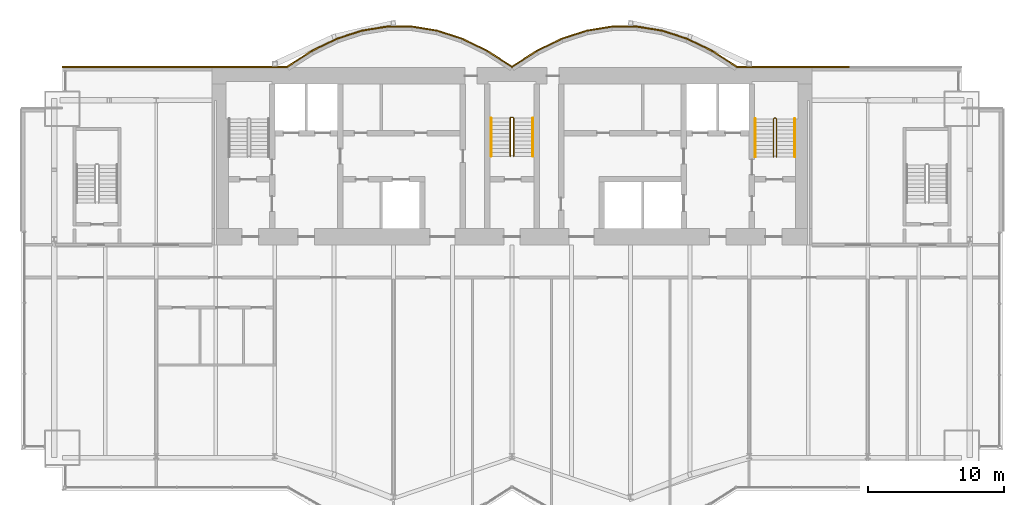
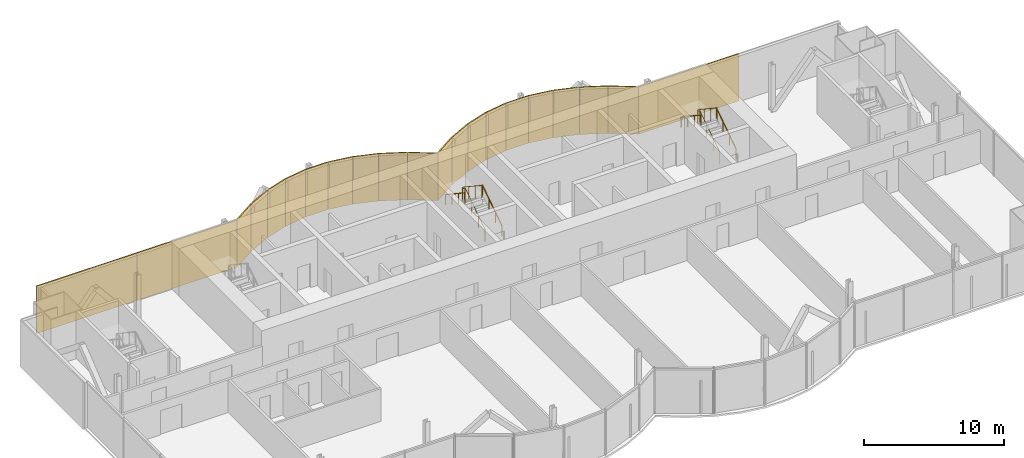
# One storey, part 19 of 20: 21 coverings, 6 railings.
"""IFC4 building model written with IfcOpenShell, lengths in metres."""

from ifc_helpers import new_model, si_unit, direction, frame, origin, origin_2d, place, context, subcontext, project, spatial, rectangle, circle, extrude, material, layer, layer_set, type_object, element, save


model = new_model("IFC4")

# Units and contexts
model_context = context("Model", 3, precision=1e-05, world=origin(), true_north=direction((0.0, 1.0)))
body_context = subcontext(model_context, "Body", "Model", "MODEL_VIEW")
ifc_project = project(units=[si_unit("LENGTHUNIT", "METRE"), si_unit("AREAUNIT", "SQUARE_METRE"), si_unit("VOLUMEUNIT", "CUBIC_METRE"), si_unit("PLANEANGLEUNIT", "RADIAN"), si_unit("MASSUNIT", "GRAM", prefix="KILO")], contexts=[model_context])

# Site, building, storey
site_placement = place(None, origin())
site = spatial("IfcSite", under=ifc_project, at=site_placement, CompositionType="ELEMENT")
building_placement = place(site_placement, origin())
building = spatial("IfcBuilding", under=site, at=building_placement, Name="Bicima Exchange Tower", CompositionType="ELEMENT")
storey_placement = place(building_placement, frame((0.0, 0.0, 227.800048828125)))
storey = spatial("IfcBuildingStorey", under=building, at=storey_placement, Name="L51", CompositionType="ELEMENT", Elevation=227.800048828125)

# Coverings
ifc_material_1 = material(Name="Bronze metal cladding")
ifc_layer_1 = layer(ifc_material_1, 0.004)
ifc_material_2 = material(Name="Ventilated cavity")
ifc_layer_2 = layer(ifc_material_2, 0.06)
ifc_material_3 = material(Name="Galvanised steel rail and mineral wool", Category="steel")
ifc_layer_3 = layer(ifc_material_3, 0.036)
ifc_layer_set = layer_set([ifc_layer_1, ifc_layer_2, ifc_layer_3], Name="Ventilated cavity")
covering_type = type_object("IfcCoveringType", Name="Bronze metal cladding panel 100", PredefinedType="CLADDING", material=ifc_layer_set)
covering_1_placement = place(storey_placement, frame((20.625, 0.050048828125, -0.150146484375), z_axis=(0.0, 0.0, 1.0), x_axis=(-1.0, 0.0, 0.0)))
element("IfcCovering", 1, at=covering_1_placement, inside=storey, type_object=covering_type, Name="Bronze cladding L51 1.2", PredefinedType="CLADDING", context=body_context, shape_type="SweptSolid", body=[
    extrude(rectangle(XDim=8.25, YDim=0.10009765625, at=origin_2d()), origin(), (0.0, 0.0, 1.0), 4.10009765625),
])
covering_2_placement = place(storey_placement, frame((15.610595703125, 0.634521484375, -0.150146484375), z_axis=(0.0, 0.0, 1.0), x_axis=(-0.839790466384, 0.542910648791, 0.0)))
element("IfcCovering", 2, at=covering_2_placement, inside=storey, type_object=covering_type, Name="Bronze cladding L51 2.1", PredefinedType="CLADDING", context=body_context, shape_type="SweptSolid", body=[
    extrude(rectangle(XDim=2.18310546875, YDim=0.10009765625, at=origin_2d()), origin(), (0.0, 0.0, 1.0), 4.10009765625),
])
covering_3_placement = place(storey_placement, frame((13.771728515625, 1.674560546875, -0.150146484375), z_axis=(0.0, 0.0, 1.0), x_axis=(-0.899818346812, 0.436264762204, 0.0)))
element("IfcCovering", 3, at=covering_3_placement, inside=storey, type_object=covering_type, Name="Bronze cladding L51 3.1", PredefinedType="CLADDING", context=body_context, shape_type="SweptSolid", body=[
    extrude(rectangle(XDim=2.03759765625, YDim=0.10009765625, at=origin_2d()), origin(), (0.0, 0.0, 1.0), 4.10009765625),
])
covering_4_placement = place(storey_placement, frame((11.931884765625, 2.41796875, -0.150146484375), z_axis=(0.0, 0.0, 1.0), x_axis=(-0.951524642381, 0.307572519808, 0.0)))
element("IfcCovering", 4, at=covering_4_placement, inside=storey, type_object=covering_type, Name="Bronze cladding L51 4.1", PredefinedType="CLADDING", context=body_context, shape_type="SweptSolid", body=[
    extrude(rectangle(XDim=1.9267578125, YDim=0.10009765625, at=origin_2d()), origin(), (0.0, 0.0, 1.0), 4.10009765625),
])
covering_5_placement = place(storey_placement, frame((10.09130859375, 2.8642578125, -0.150146484375), z_axis=(0.0, 0.0, 1.0), x_axis=(-0.987189786347, 0.159550386184, 0.0)))
element("IfcCovering", 5, at=covering_5_placement, inside=storey, type_object=covering_type, Name="Bronze cladding L51 5.1", PredefinedType="CLADDING", context=body_context, shape_type="SweptSolid", body=[
    extrude(rectangle(XDim=1.857177734375, YDim=0.10009765625, at=origin_2d()), origin(), (0.0, 0.0, 1.0), 4.10009765625),
])
covering_6_placement = place(storey_placement, frame((8.25, 3.012939453125, -0.150146484375), z_axis=(0.0, 0.0, 1.0), x_axis=(-1.0, 0.0, 0.0)))
element("IfcCovering", 6, at=covering_6_placement, inside=storey, type_object=covering_type, Name="Bronze cladding L51 6.1", PredefinedType="CLADDING", context=body_context, shape_type="SweptSolid", body=[
    extrude(rectangle(XDim=1.83349609375, YDim=0.10009765625, at=origin_2d()), origin(), (0.0, 0.0, 1.0), 4.10009765625),
])
covering_7_placement = place(storey_placement, frame((6.40869140625, 2.8642578125, -0.150146484375), z_axis=(0.0, 0.0, 1.0), x_axis=(-0.987189786347, -0.159550386184, 0.0)))
element("IfcCovering", 7, at=covering_7_placement, inside=storey, type_object=covering_type, Name="Bronze cladding L51 7.1", PredefinedType="CLADDING", context=body_context, shape_type="SweptSolid", body=[
    extrude(rectangle(XDim=1.857177734375, YDim=0.10009765625, at=origin_2d()), origin(), (0.0, 0.0, 1.0), 4.10009765625),
])
covering_8_placement = place(storey_placement, frame((4.568115234375, 2.41796875, -0.150146484375), z_axis=(0.0, 0.0, 1.0), x_axis=(-0.951524642381, -0.307572519808, 0.0)))
element("IfcCovering", 8, at=covering_8_placement, inside=storey, type_object=covering_type, Name="Bronze cladding L51 8.1", PredefinedType="CLADDING", context=body_context, shape_type="SweptSolid", body=[
    extrude(rectangle(XDim=1.9267578125, YDim=0.10009765625, at=origin_2d()), origin(), (0.0, 0.0, 1.0), 4.10009765625),
])
covering_9_placement = place(storey_placement, frame((2.728271484375, 1.674560546875, -0.150146484375), z_axis=(0.0, 0.0, 1.0), x_axis=(-0.899818346812, -0.436264762204, 0.0)))
element("IfcCovering", 9, at=covering_9_placement, inside=storey, type_object=covering_type, Name="Bronze cladding L51 9.1", PredefinedType="CLADDING", context=body_context, shape_type="SweptSolid", body=[
    extrude(rectangle(XDim=2.03759765625, YDim=0.10009765625, at=origin_2d()), origin(), (0.0, 0.0, 1.0), 4.10009765625),
])
for number, where, z_axis, x_axis, name in (
    (10, (0.889404296875, 0.634521484375, -0.150146484375), (0.0, 0.0, 1.0), (-0.839790466384, -0.542910648791, 0.0), "Bronze cladding L51 10.1"),
    (11, (-0.889404296875, 0.634521484375, -0.150146484375), (0.0, 0.0, 1.0), (-0.839790466384, 0.542910648791, 0.0), "Bronze cladding L51 11.1"),
):
    element("IfcCovering", number, at=place(storey_placement, frame(where, z_axis=z_axis, x_axis=x_axis)), inside=storey, type_object=covering_type, Name=name, PredefinedType="CLADDING", context=body_context, shape_type="SweptSolid", body=[
        extrude(rectangle(XDim=2.18310546875, YDim=0.10009765625, at=origin_2d()), origin(), (0.0, 0.0, 1.0), 4.10009765625),
    ])
covering_10_placement = place(storey_placement, frame((-2.728271484375, 1.674560546875, -0.150146484375), z_axis=(0.0, 0.0, 1.0), x_axis=(-0.899818346812, 0.436264762204, 0.0)))
element("IfcCovering", 12, at=covering_10_placement, inside=storey, type_object=covering_type, Name="Bronze cladding L51 12.1", PredefinedType="CLADDING", context=body_context, shape_type="SweptSolid", body=[
    extrude(rectangle(XDim=2.03759765625, YDim=0.10009765625, at=origin_2d()), origin(), (0.0, 0.0, 1.0), 4.10009765625),
])
covering_11_placement = place(storey_placement, frame((-4.568115234375, 2.41796875, -0.150146484375), z_axis=(0.0, 0.0, 1.0), x_axis=(-0.951524642381, 0.307572519808, 0.0)))
element("IfcCovering", 13, at=covering_11_placement, inside=storey, type_object=covering_type, Name="Bronze cladding L51 13.1", PredefinedType="CLADDING", context=body_context, shape_type="SweptSolid", body=[
    extrude(rectangle(XDim=1.9267578125, YDim=0.10009765625, at=origin_2d()), origin(), (0.0, 0.0, 1.0), 4.10009765625),
])
covering_12_placement = place(storey_placement, frame((-6.40869140625, 2.8642578125, -0.150146484375), z_axis=(0.0, 0.0, 1.0), x_axis=(-0.987189786347, 0.159550386184, 0.0)))
element("IfcCovering", 14, at=covering_12_placement, inside=storey, type_object=covering_type, Name="Bronze cladding L51 14.1", PredefinedType="CLADDING", context=body_context, shape_type="SweptSolid", body=[
    extrude(rectangle(XDim=1.857177734375, YDim=0.10009765625, at=origin_2d()), origin(), (0.0, 0.0, 1.0), 4.10009765625),
])
covering_13_placement = place(storey_placement, frame((-8.25, 3.012939453125, -0.150146484375), z_axis=(0.0, 0.0, 1.0), x_axis=(-1.0, 0.0, 0.0)))
element("IfcCovering", 15, at=covering_13_placement, inside=storey, type_object=covering_type, Name="Bronze cladding L51 15.1", PredefinedType="CLADDING", context=body_context, shape_type="SweptSolid", body=[
    extrude(rectangle(XDim=1.83349609375, YDim=0.10009765625, at=origin_2d()), origin(), (0.0, 0.0, 1.0), 4.10009765625),
])
covering_14_placement = place(storey_placement, frame((-10.09130859375, 2.8642578125, -0.150146484375), z_axis=(0.0, 0.0, 1.0), x_axis=(-0.987189786347, -0.159550386184, 0.0)))
element("IfcCovering", 16, at=covering_14_placement, inside=storey, type_object=covering_type, Name="Bronze cladding L51 16.1", PredefinedType="CLADDING", context=body_context, shape_type="SweptSolid", body=[
    extrude(rectangle(XDim=1.857177734375, YDim=0.10009765625, at=origin_2d()), origin(), (0.0, 0.0, 1.0), 4.10009765625),
])
covering_15_placement = place(storey_placement, frame((-11.931884765625, 2.41796875, -0.150146484375), z_axis=(0.0, 0.0, 1.0), x_axis=(-0.951524642381, -0.307572519808, 0.0)))
element("IfcCovering", 17, at=covering_15_placement, inside=storey, type_object=covering_type, Name="Bronze cladding L51 17.1", PredefinedType="CLADDING", context=body_context, shape_type="SweptSolid", body=[
    extrude(rectangle(XDim=1.9267578125, YDim=0.10009765625, at=origin_2d()), origin(), (0.0, 0.0, 1.0), 4.10009765625),
])
covering_16_placement = place(storey_placement, frame((-13.771728515625, 1.674560546875, -0.150146484375), z_axis=(0.0, 0.0, 1.0), x_axis=(-0.899818346812, -0.436264762204, 0.0)))
element("IfcCovering", 18, at=covering_16_placement, inside=storey, type_object=covering_type, Name="Bronze cladding L51 18.1", PredefinedType="CLADDING", context=body_context, shape_type="SweptSolid", body=[
    extrude(rectangle(XDim=2.03759765625, YDim=0.10009765625, at=origin_2d()), origin(), (0.0, 0.0, 1.0), 4.10009765625),
])
covering_17_placement = place(storey_placement, frame((-15.610595703125, 0.634521484375, -0.150146484375), z_axis=(0.0, 0.0, 1.0), x_axis=(-0.839790466384, -0.542910648791, 0.0)))
element("IfcCovering", 19, at=covering_17_placement, inside=storey, type_object=covering_type, Name="Bronze cladding L51 19.1", PredefinedType="CLADDING", context=body_context, shape_type="SweptSolid", body=[
    extrude(rectangle(XDim=2.18310546875, YDim=0.10009765625, at=origin_2d()), origin(), (0.0, 0.0, 1.0), 4.10009765625),
])
for number, where, z_axis, x_axis, name in (
    (20, (-20.625, 0.050048828125, -0.150146484375), (0.0, 0.0, 1.0), (-1.0, 0.0, 0.0), "Bronze cladding L51 20.1"),
    (21, (-28.875, 0.050048828125, -0.150146484375), (0.0, 0.0, 1.0), (-1.0, 0.0, 0.0), "Bronze cladding L51 20.2"),
):
    element("IfcCovering", number, at=place(storey_placement, frame(where, z_axis=z_axis, x_axis=x_axis)), inside=storey, type_object=covering_type, Name=name, PredefinedType="CLADDING", context=body_context, shape_type="SweptSolid", body=[
        extrude(rectangle(XDim=8.25, YDim=0.10009765625, at=origin_2d()), origin(), (0.0, 0.0, 1.0), 4.10009765625),
    ])

# Railings
ifc_material_4 = material(Name="Stainless steel", Category="steel")
railing_type_1 = type_object("IfcRailingType", Name="Stair guard 1100", PredefinedType="GUARDRAIL", material=ifc_material_4)
railing_1_placement = place(storey_placement, frame((0.125, -6.5, 0.186279296875)))
element("IfcRailing", 22, at=railing_1_placement, inside=storey, type_object=railing_type_1, Name="L51 ST-C stair guard 1", PredefinedType="GUARDRAIL", context=body_context, shape_type="SweptSolid", body=[
    extrude(circle(Radius=0.02392578125, at=origin_2d()), frame((0.0, 0.0, 1.076171875), z_axis=(0.0, 0.832452072856, 0.554097055034), x_axis=(-1.0, 0.0, 0.0)), (0.0, 0.0, 1.0), 3.363525390625),
    extrude(circle(Radius=0.02392578125, at=origin_2d()), frame((0.0, 2.800048828125, 2.93994140625), z_axis=(-0.707106781187, 0.707106781187, 0.0), x_axis=(-0.707106781187, -0.707106781187, 0.0)), (0.0, 0.0, 1.0), 0.07080078125),
    extrude(circle(Radius=0.02392578125, at=origin_2d()), frame((-0.050048828125, 2.85009765625, 2.93994140625), z_axis=(-1.0, 0.0, 0.0), x_axis=(0.0, -1.0, 0.0)), (0.0, 0.0, 1.0), 0.14990234375),
    extrude(circle(Radius=0.02392578125, at=origin_2d()), frame((-0.199951171875, 2.85009765625, 2.93994140625), z_axis=(-0.251157038772, -0.251157038772, 0.934794246747), x_axis=(0.707106781187, -0.707106781187, 0.0)), (0.0, 0.0, 1.0), 0.19921875),
    extrude(circle(Radius=0.02392578125, at=origin_2d()), frame((-0.25, 2.800048828125, 3.1259765625), z_axis=(0.0, -0.832485552168, 0.554046753832), x_axis=(1.0, 0.0, 0.0)), (0.0, 0.0, 1.0), 3.363525390625),
    extrude(circle(Radius=0.02099609375, at=origin_2d()), origin(), (0.0, 0.0, 1.0), 1.052001953125),
    extrude(circle(Radius=0.02099609375, at=origin_2d()), frame((0.0, 0.933349609375, 0.621337890625)), (0.0, 0.0, 1.0), 1.052001953125),
    extrude(circle(Radius=0.02099609375, at=origin_2d()), frame((0.0, 1.86669921875, 1.242431640625)), (0.0, 0.0, 1.0), 1.052001953125),
    extrude(circle(Radius=0.02099609375, at=origin_2d()), frame((0.0, 2.800048828125, 1.86376953125)), (0.0, 0.0, 1.0), 1.052001953125),
    extrude(circle(Radius=0.02099609375, at=origin_2d()), frame((-0.050048828125, 2.85009765625, 1.86376953125)), (0.0, 0.0, 1.0), 1.052001953125),
    extrude(circle(Radius=0.02099609375, at=origin_2d()), frame((-0.199951171875, 2.85009765625, 1.86376953125)), (0.0, 0.0, 1.0), 1.052001953125),
    extrude(circle(Radius=0.02099609375, at=origin_2d()), frame((-0.25, 2.800048828125, 2.050048828125)), (0.0, 0.0, 1.0), 1.052001953125),
    extrude(circle(Radius=0.02099609375, at=origin_2d()), frame((-0.25, 1.86669921875, 2.671142578125)), (0.0, 0.0, 1.0), 1.052001953125),
    extrude(circle(Radius=0.02099609375, at=origin_2d()), frame((-0.25, 0.933349609375, 3.29248046875)), (0.0, 0.0, 1.0), 1.052001953125),
    extrude(circle(Radius=0.02099609375, at=origin_2d()), frame((-0.25, 0.0, 3.91357421875)), (0.0, 0.0, 1.0), 1.052001953125),
])
railing_2_placement = place(storey_placement, frame((19.39990234375, -6.550048828125, 0.186279296875)))
element("IfcRailing", 23, at=railing_2_placement, inside=storey, type_object=railing_type_1, Name="L51 ST-E stair guard 1", PredefinedType="GUARDRAIL", context=body_context, shape_type="SweptSolid", body=[
    extrude(circle(Radius=0.02392578125, at=origin_2d()), frame((0.0, 0.0, 1.076171875), z_axis=(0.0, 0.832452072856, 0.554097055034), x_axis=(-1.0, 0.0, 0.0)), (0.0, 0.0, 1.0), 3.363525390625),
    extrude(circle(Radius=0.02392578125, at=origin_2d()), frame((0.0, 2.800048828125, 2.93994140625), z_axis=(-0.705375805398, 0.708833529934, 0.0), x_axis=(-0.708833529934, -0.705375805398, 0.0)), (0.0, 0.0, 1.0), 0.070556640625),
    extrude(circle(Radius=0.02392578125, at=origin_2d()), frame((-0.0498046875, 2.85009765625, 2.93994140625), z_axis=(-1.0, 0.0, 0.0), x_axis=(0.0, -1.0, 0.0)), (0.0, 0.0, 1.0), 0.10009765625),
    extrude(circle(Radius=0.02392578125, at=origin_2d()), frame((-0.14990234375, 2.85009765625, 2.93994140625), z_axis=(-0.251157038772, -0.251157038772, 0.934794246747), x_axis=(0.707106781187, -0.707106781187, 0.0)), (0.0, 0.0, 1.0), 0.19921875),
    extrude(circle(Radius=0.02392578125, at=origin_2d()), frame((-0.199951171875, 2.800048828125, 3.1259765625), z_axis=(0.0, -0.832485552168, 0.554046753832), x_axis=(1.0, 0.0, 0.0)), (0.0, 0.0, 1.0), 3.363525390625),
    extrude(circle(Radius=0.02099609375, at=origin_2d()), origin(), (0.0, 0.0, 1.0), 1.052001953125),
    extrude(circle(Radius=0.02099609375, at=origin_2d()), frame((0.0, 0.933349609375, 0.621337890625)), (0.0, 0.0, 1.0), 1.052001953125),
    extrude(circle(Radius=0.02099609375, at=origin_2d()), frame((0.0, 1.86669921875, 1.242431640625)), (0.0, 0.0, 1.0), 1.052001953125),
    extrude(circle(Radius=0.02099609375, at=origin_2d()), frame((0.0, 2.800048828125, 1.86376953125)), (0.0, 0.0, 1.0), 1.052001953125),
    extrude(circle(Radius=0.02099609375, at=origin_2d()), frame((-0.0498046875, 2.85009765625, 1.86376953125)), (0.0, 0.0, 1.0), 1.052001953125),
    extrude(circle(Radius=0.02099609375, at=origin_2d()), frame((-0.14990234375, 2.85009765625, 1.86376953125)), (0.0, 0.0, 1.0), 1.052001953125),
    extrude(circle(Radius=0.02099609375, at=origin_2d()), frame((-0.199951171875, 2.800048828125, 2.050048828125)), (0.0, 0.0, 1.0), 1.052001953125),
    extrude(circle(Radius=0.02099609375, at=origin_2d()), frame((-0.199951171875, 1.86669921875, 2.671142578125)), (0.0, 0.0, 1.0), 1.052001953125),
    extrude(circle(Radius=0.02099609375, at=origin_2d()), frame((-0.199951171875, 0.933349609375, 3.29248046875)), (0.0, 0.0, 1.0), 1.052001953125),
    extrude(circle(Radius=0.02099609375, at=origin_2d()), frame((-0.199951171875, 0.0, 3.91357421875)), (0.0, 0.0, 1.0), 1.052001953125),
])
railing_type_2 = type_object("IfcRailingType", Name="Stair handrail 900", PredefinedType="HANDRAIL", material=ifc_material_4)
railing_3_placement = place(storey_placement, frame((1.52490234375, -6.5, 0.186279296875)))
element("IfcRailing", 24, at=railing_3_placement, inside=storey, type_object=railing_type_2, Name="L51 ST-C stair handrail 1", PredefinedType="HANDRAIL", context=body_context, shape_type="SweptSolid", body=[
    extrude(circle(Radius=0.02392578125, at=origin_2d()), frame((0.0, 0.0, 0.8759765625), z_axis=(0.0, 0.832452072856, 0.554097055034), x_axis=(-1.0, 0.0, 0.0)), (0.0, 0.0, 1.0), 3.363525390625),
    extrude(circle(Radius=0.02099609375, at=origin_2d()), origin(), (0.0, 0.0, 1.0), 0.851806640625),
    extrude(circle(Radius=0.02099609375, at=origin_2d()), frame((0.0, 0.933349609375, 0.621337890625)), (0.0, 0.0, 1.0), 0.851806640625),
    extrude(circle(Radius=0.02099609375, at=origin_2d()), frame((0.0, 1.86669921875, 1.242431640625)), (0.0, 0.0, 1.0), 0.851806640625),
    extrude(circle(Radius=0.02099609375, at=origin_2d()), frame((0.0, 2.800048828125, 1.86376953125)), (0.0, 0.0, 1.0), 0.851806640625),
])
railing_4_placement = place(storey_placement, frame((-1.52490234375, -3.699951171875, 2.276611328125)))
element("IfcRailing", 25, at=railing_4_placement, inside=storey, type_object=railing_type_2, Name="L51 ST-C stair handrail 2", PredefinedType="HANDRAIL", context=body_context, shape_type="SweptSolid", body=[
    extrude(circle(Radius=0.02392578125, at=origin_2d()), frame((0.0, 0.0, 0.8759765625), z_axis=(0.0, -0.832452072856, 0.554097055034), x_axis=(1.0, 0.0, 0.0)), (0.0, 0.0, 1.0), 3.363525390625),
    extrude(circle(Radius=0.02099609375, at=origin_2d()), origin(), (0.0, 0.0, 1.0), 0.851806640625),
    extrude(circle(Radius=0.02099609375, at=origin_2d()), frame((0.0, -0.933349609375, 0.621337890625)), (0.0, 0.0, 1.0), 0.851806640625),
    extrude(circle(Radius=0.02099609375, at=origin_2d()), frame((0.0, -1.86669921875, 1.242431640625)), (0.0, 0.0, 1.0), 0.851806640625),
    extrude(circle(Radius=0.02099609375, at=origin_2d()), frame((0.0, -2.800048828125, 1.86376953125)), (0.0, 0.0, 1.0), 0.851806640625),
])
railing_5_placement = place(storey_placement, frame((20.75, -6.550048828125, 0.186279296875)))
element("IfcRailing", 26, at=railing_5_placement, inside=storey, type_object=railing_type_2, Name="L51 ST-E stair handrail 1", PredefinedType="HANDRAIL", context=body_context, shape_type="SweptSolid", body=[
    extrude(circle(Radius=0.02392578125, at=origin_2d()), frame((0.0, 0.0, 0.8759765625), z_axis=(0.0, 0.832452072856, 0.554097055034), x_axis=(-1.0, 0.0, 0.0)), (0.0, 0.0, 1.0), 3.363525390625),
    extrude(circle(Radius=0.02099609375, at=origin_2d()), origin(), (0.0, 0.0, 1.0), 0.851806640625),
    extrude(circle(Radius=0.02099609375, at=origin_2d()), frame((0.0, 0.933349609375, 0.621337890625)), (0.0, 0.0, 1.0), 0.851806640625),
    extrude(circle(Radius=0.02099609375, at=origin_2d()), frame((0.0, 1.86669921875, 1.242431640625)), (0.0, 0.0, 1.0), 0.851806640625),
    extrude(circle(Radius=0.02099609375, at=origin_2d()), frame((0.0, 2.800048828125, 1.86376953125)), (0.0, 0.0, 1.0), 0.851806640625),
])
railing_6_placement = place(storey_placement, frame((17.85009765625, -3.75, 2.276611328125)))
element("IfcRailing", 27, at=railing_6_placement, inside=storey, type_object=railing_type_2, Name="L51 ST-E stair handrail 2", PredefinedType="HANDRAIL", context=body_context, shape_type="SweptSolid", body=[
    extrude(circle(Radius=0.02392578125, at=origin_2d()), frame((0.0, 0.0, 0.8759765625), z_axis=(0.0, -0.832452072856, 0.554097055034), x_axis=(1.0, 0.0, 0.0)), (0.0, 0.0, 1.0), 3.363525390625),
    extrude(circle(Radius=0.02099609375, at=origin_2d()), origin(), (0.0, 0.0, 1.0), 0.851806640625),
    extrude(circle(Radius=0.02099609375, at=origin_2d()), frame((0.0, -0.933349609375, 0.621337890625)), (0.0, 0.0, 1.0), 0.851806640625),
    extrude(circle(Radius=0.02099609375, at=origin_2d()), frame((0.0, -1.86669921875, 1.242431640625)), (0.0, 0.0, 1.0), 0.851806640625),
    extrude(circle(Radius=0.02099609375, at=origin_2d()), frame((0.0, -2.800048828125, 1.86376953125)), (0.0, 0.0, 1.0), 0.851806640625),
])

save(model, "model.ifc")
